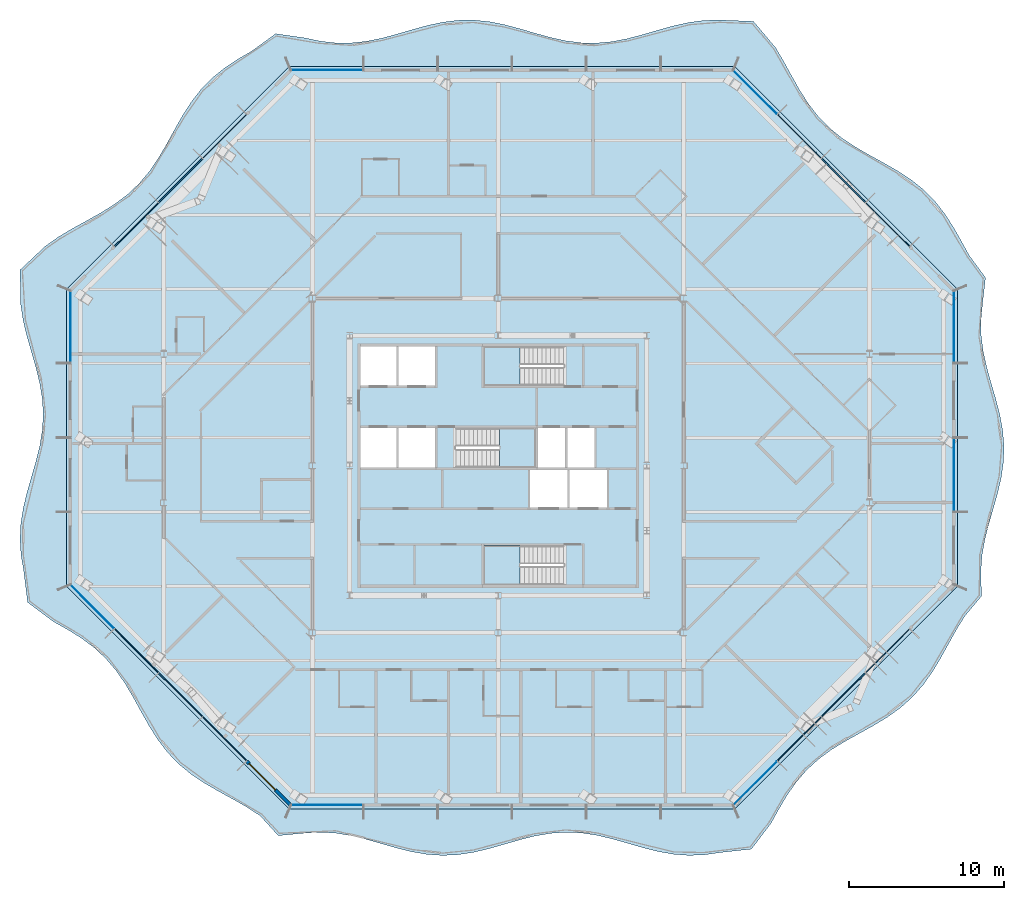
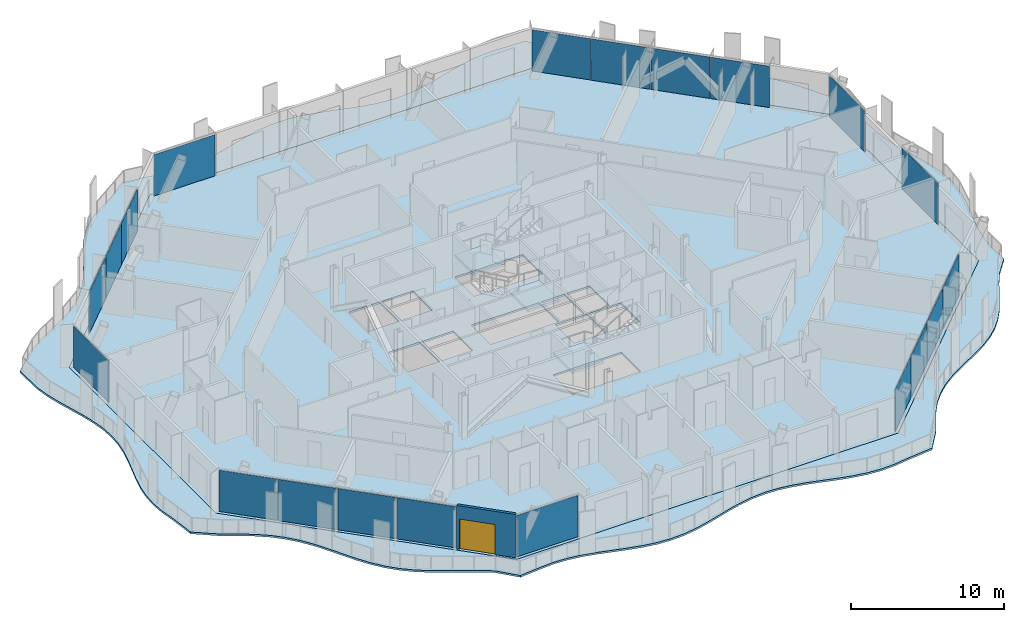
# One storey, part 6 of 21: 20 plates, 5 slabs, 1 door, 1 wall, 1 opening, 11 elements without a shape of their own.
"""IFC4 building model written with IfcOpenShell, lengths in metres."""

from ifc_helpers import new_model, si_unit, direction, frame, frame_2d, origin, origin_2d, place, context, subcontext, project, spatial, polyline, rectangle, outline, extrude, material, layer, layer_set, type_object, element, fill, aggregate, save


model = new_model("IFC4")

# Units and contexts
model_context = context("Model", 3, precision=1e-05, world=origin(), true_north=direction((0.0, 1.0)))
body_context = subcontext(model_context, "Body", "Model", "MODEL_VIEW")
ifc_project = project(units=[si_unit("LENGTHUNIT", "METRE"), si_unit("AREAUNIT", "SQUARE_METRE"), si_unit("VOLUMEUNIT", "CUBIC_METRE"), si_unit("PLANEANGLEUNIT", "RADIAN"), si_unit("MASSUNIT", "GRAM", prefix="KILO")], contexts=[model_context])

# Site, building, storey
site_placement = place(None, origin())
site = spatial("IfcSite", under=ifc_project, at=site_placement, CompositionType="ELEMENT")
building_placement = place(site_placement, origin())
building = spatial("IfcBuilding", under=site, at=building_placement, Name="Cairn Pilgrim Tower", CompositionType="ELEMENT")
storey_placement = place(building_placement, frame((0.0, 0.0, 179.39990234375)))
storey = spatial("IfcBuildingStorey", under=building, at=storey_placement, Name="L45", CompositionType="ELEMENT", Elevation=179.39990234375)

# Slabs
ifc_material_1 = material(Name="Concrete C35/45", Category="concrete")
ifc_layer_1 = layer(ifc_material_1, 0.14990234375)
ifc_layer_set_1 = layer_set([ifc_layer_1], Name="BALCONY SLAB 150 CONCRETE C35/45")
slab_type_1 = type_object("IfcSlabType", Name="BALCONY SLAB 150 CONCRETE C35/45", PredefinedType="FLOOR", material=ifc_layer_set_1)
slab_1_placement = place(storey_placement, frame((0.0, 0.0, -0.14990234375)))
element("IfcSlab", 1, at=slab_1_placement, inside=storey, type_object=slab_type_1, Name="Balcony slab BS-1", PredefinedType="FLOOR", context=body_context, shape_type="SweptSolid", body=[
    extrude(outline(polyline([(-8.177001953125, -20.237060546875), (-7.01220703125, -21.519775390625), (-5.306884765625, -21.35791015625), (-4.313720703125, -21.300048828125), (-3.32080078125, -21.354736328125), (-2.32763671875, -21.513916015625), (-1.33447265625, -21.753662109375), (-0.34130859375, -22.037841796875), (0.651611328125, -22.32373046875), (1.644775390625, -22.568603515625), (2.637939453125, -22.735595703125), (3.631103515625, -22.7998046875), (4.6240234375, -22.751220703125), (5.6171875, -22.59716796875), (6.6103515625, -22.361328125), (7.603515625, -22.078369140625), (8.596435546875, -21.791259765625), (9.589599609375, -21.543212890625), (10.582763671875, -21.37109375), (11.575927734375, -21.30078125), (12.56884765625, -21.34326171875), (13.56201171875, -21.49169921875), (14.55517578125, -21.72412109375), (15.54833984375, -22.00537109375), (16.541259765625, -22.293212890625), (17.534423828125, -22.544677734375), (18.527587890625, -22.721923828125), (19.520751953125, -22.798095703125), (20.513671875, -22.761962890625), (21.5068359375, -22.618896484375), (23.572998046875, -22.390380859375), (24.848876953125, -20.708740234375), (25.35986328125, -19.77978515625), (25.89794921875, -18.8779296875), (26.49169921875, -18.03173828125), (27.1611328125, -17.26123046875), (27.9140625, -16.57421875), (28.74560546875, -15.965576171875), (29.6376953125, -15.417724609375), (30.5634765625, -14.903564453125), (31.490478515625, -14.390625), (32.385986328125, -13.84619140625), (33.222412109375, -13.242431640625), (33.981201171875, -12.561279296875), (34.656494140625, -11.79638671875), (35.255126953125, -10.955078125), (35.796142578125, -10.05615234375), (36.30810546875, -9.128173828125), (36.82373046875, -8.20361328125), (37.375, -7.31494140625), (38.43994140625, -6.037841796875), (38.40185546875, -4.389404296875), (38.479736328125, -3.37890625), (38.662109375, -2.368408203125), (38.920166015625, -1.35791015625), (39.2138671875, -0.347412109375), (39.497802734375, 0.6630859375), (39.7275390625, 1.673583984375), (39.86767578125, 2.684326171875), (39.89599609375, 3.69482421875), (39.80859375, 4.705322265625), (39.618896484375, 5.7158203125), (39.356201171875, 6.726318359375), (39.0615234375, 7.73681640625), (38.780517578125, 8.747314453125), (38.556884765625, 9.7578125), (38.425537109375, 10.768310546875), (38.40673828125, 11.779052734375), (38.503662109375, 12.78955078125), (38.70068359375, 14.5458984375), (37.643798828125, 15.983642578125), (37.13427734375, 16.914306640625), (36.611572265625, 17.83154296875), (36.044677734375, 18.70458984375), (35.4091796875, 19.50927734375), (34.692138671875, 20.232177734375), (33.892822265625, 20.872802734375), (33.023681640625, 21.44384765625), (32.108642578125, 21.968505859375), (31.177978515625, 22.47802734375), (30.26513671875, 23.005126953125), (29.400634765625, 23.58056640625), (28.607177734375, 24.22705078125), (27.896240234375, 24.956298828125), (27.2666015625, 25.7666015625), (26.703857421875, 26.64404296875), (26.183349609375, 27.5634765625), (25.673583984375, 28.493408203125), (25.14111328125, 29.401123046875), (23.704833984375, 31.108642578125), (21.5068359375, 31.195556640625), (20.513671875, 31.170654296875), (19.520751953125, 31.037353515625), (18.527587890625, 30.81591796875), (17.534423828125, 30.53955078125), (16.541259765625, 30.249755859375), (15.54833984375, 29.989990234375), (14.55517578125, 29.79931640625), (13.56201171875, 29.706298828125), (12.56884765625, 29.72509765625), (11.575927734375, 29.8525390625), (10.582763671875, 30.06982421875), (9.589599609375, 30.34423828125), (8.596435546875, 30.634521484375), (7.603515625, 30.89697265625), (6.6103515625, 31.09228515625), (5.6171875, 31.19140625), (4.6240234375, 31.178955078125), (3.631103515625, 31.05712890625), (2.637939453125, 30.843994140625), (1.644775390625, 30.57177734375), (0.651611328125, 30.28125), (-0.34130859375, 30.01611328125), (-1.33447265625, 29.816162109375), (-2.32763671875, 29.71142578125), (-3.32080078125, 29.717529296875), (-4.313720703125, 29.83349609375), (-5.306884765625, 30.042236328125), (-7.1748046875, 30.312255859375), (-8.72412109375, 29.18408203125), (-9.636962890625, 28.656982421875), (-10.50146484375, 28.08154296875), (-11.294921875, 27.434814453125), (-12.005615234375, 26.70556640625), (-12.63525390625, 25.895263671875), (-13.197998046875, 25.017822265625), (-13.718505859375, 24.098388671875), (-14.228271484375, 23.16845703125), (-14.7607421875, 22.2607421875), (-15.34521484375, 21.4052734375), (-16.003173828125, 20.623291015625), (-16.744384765625, 19.924560546875), (-17.565673828125, 19.3056640625), (-18.45068359375, 18.750732421875), (-19.373779296875, 18.233642578125), (-20.302734375, 17.72265625), (-21.204345703125, 17.184326171875), (-22.050537109375, 16.590576171875), (-23.699462890625, 15.04248046875), (-23.653076171875, 12.78955078125), (-23.497802734375, 11.779052734375), (-23.257080078125, 10.768310546875), (-22.96875, 9.7578125), (-22.677490234375, 8.747314453125), (-22.4287109375, 7.73681640625), (-22.2607421875, 6.726318359375), (-22.199951171875, 5.7158203125), (-22.255859375, 4.705322265625), (-22.41943359375, 3.69482421875), (-22.665771484375, 2.684326171875), (-22.9560546875, 1.673583984375), (-23.245361328125, 0.6630859375), (-23.48876953125, -0.347412109375), (-23.648681640625, -1.35791015625), (-23.69970703125, -2.368408203125), (-23.634521484375, -3.37890625), (-23.462646484375, -4.389404296875), (-23.211181640625, -6.440185546875), (-21.547607421875, -7.6875), (-20.623291015625, -8.203125), (-19.734619140625, -8.754638671875), (-18.90869140625, -9.368896484375), (-18.162109375, -10.06201171875), (-17.498779296875, -10.8388671875), (-16.909912109375, -11.68994140625), (-16.375, -12.594970703125), (-15.86474609375, -13.524658203125), (-15.345703125, -14.44580078125), (-14.786865234375, -15.32666015625), (-14.162109375, -16.14208984375), (-13.456787109375, -16.876953125), (-12.668701171875, -17.528564453125), (-11.80810546875, -18.108154296875), (-10.897705078125, -18.6376953125), (-9.96728515625, -19.147216796875), (-9.050048828125, -19.669921875), (-8.177001953125, -20.237060546875)]), holes=[polyline([(22.5, -19.800048828125), (-6.300048828125, -19.800048828125), (-20.699951171875, -5.39990234375), (-20.699951171875, 13.800048828125), (-6.300048828125, 28.199951171875), (22.5, 28.199951171875), (36.89990234375, 13.800048828125), (36.89990234375, -5.39990234375), (22.5, -19.800048828125)])]), origin(), (0.0, 0.0, 1.0), 0.14990234375),
])
ifc_layer_2 = layer(ifc_material_1, 0.14990234375)
ifc_layer_set_2 = layer_set([ifc_layer_2], Name="COMPOSITE FLOOR SLAB 150")
slab_type_2 = type_object("IfcSlabType", Name="COMPOSITE FLOOR SLAB 150", PredefinedType="FLOOR", material=ifc_layer_set_2)
slab_2_placement = place(storey_placement, frame((0.0, 0.0, -0.14990234375)))
element("IfcSlab", 2, at=slab_2_placement, inside=storey, type_object=slab_type_2, Name="FLOOR SLAB L45", PredefinedType="FLOOR", context=body_context, shape_type="SweptSolid", body=[
    extrude(outline(polyline([(-6.300048828125, -19.800048828125), (22.5, -19.800048828125), (36.89990234375, -5.39990234375), (36.89990234375, 13.800048828125), (22.5, 28.199951171875), (-6.300048828125, 28.199951171875), (-20.699951171875, 13.800048828125), (-20.699951171875, -5.39990234375), (-6.300048828125, -19.800048828125)]), holes=[polyline([(9.27490234375, -0.324951171875), (11.675048828125, -0.324951171875), (11.675048828125, 2.125), (9.27490234375, 2.125), (9.27490234375, -0.324951171875)]), polyline([(11.824951171875, -0.324951171875), (14.22509765625, -0.324951171875), (14.22509765625, 2.125), (11.824951171875, 2.125), (11.824951171875, -0.324951171875)]), polyline([(-1.72509765625, 2.27490234375), (0.625, 2.27490234375), (0.625, 4.824951171875), (-1.72509765625, 4.824951171875), (-1.72509765625, 2.27490234375)]), polyline([(0.77490234375, 2.27490234375), (3.125, 2.27490234375), (3.125, 4.824951171875), (0.77490234375, 4.824951171875), (0.77490234375, 2.27490234375)]), polyline([(-1.72509765625, 7.574951171875), (0.625, 7.574951171875), (0.625, 10.10009765625), (-1.72509765625, 10.10009765625), (-1.72509765625, 7.574951171875)]), polyline([(0.77490234375, 7.574951171875), (3.125, 7.574951171875), (3.125, 10.10009765625), (0.77490234375, 10.10009765625), (0.77490234375, 7.574951171875)]), polyline([(9.77490234375, 2.27490234375), (11.52490234375, 2.27490234375), (11.52490234375, 4.824951171875), (9.77490234375, 4.824951171875), (9.77490234375, 2.27490234375)]), polyline([(11.675048828125, 2.27490234375), (13.425048828125, 2.27490234375), (13.425048828125, 4.824951171875), (11.675048828125, 4.824951171875), (11.675048828125, 2.27490234375)]), polyline([(11.424560546875, -2.77490234375), (6.27490234375, -2.77490234375), (6.27490234375, -5.300048828125), (11.424560546875, -5.300048828125), (11.424560546875, -2.77490234375)]), polyline([(4.4755859375, 2.27490234375), (9.625, 2.27490234375), (9.625, 4.824951171875), (4.4755859375, 4.824951171875), (4.4755859375, 2.27490234375)]), polyline([(11.424560546875, 10.10009765625), (6.27490234375, 10.10009765625), (6.27490234375, 7.574951171875), (11.424560546875, 7.574951171875), (11.424560546875, 10.10009765625)])]), origin(), (0.0, 0.0, 1.0), 0.14990234375),
])

# Curtain wall, plates
ifc_material_2 = material(Name="Aluminium alloy 6063-T6 bronze anodised with Bronze tinted laminated low-E glass 8+16+8.8", Category="aluminium")
curtain_wall_type_1 = type_object("IfcCurtainWallType", Name="CHAMFER CORNER CURTAIN WALL", PredefinedType="NOTDEFINED", material=ifc_material_2)
curtain_wall_1_placement = place(storey_placement, origin())
curtain_wall_1 = element("IfcCurtainWall", 3, at=curtain_wall_1_placement, inside=storey, type_object=curtain_wall_type_1, Name="Chamfer Corner Curtain Wall SE", PredefinedType="NOTDEFINED")
ifc_material_3 = material(Name="Bronze anodised aluminium spandrel panel with mineral wool insulation", Category="aluminium")
ifc_layer_3 = layer(ifc_material_3, 0.06005859375)
ifc_layer_set_3 = layer_set([ifc_layer_3], Name="SPANDREL PANEL 3972x3300")
plate_type_1 = type_object("IfcPlateType", Name="SPANDREL PANEL 3972x3300", PredefinedType="CURTAIN_PANEL", material=ifc_layer_set_3)
plate_1_placement = place(storey_placement, frame((26.672607421875, -15.27392578125, 0.0), z_axis=(0.0, 0.0, 1.0), x_axis=(0.707106781187, 0.707106781187, 0.0)))
plate_1 = element("IfcPlate", 4, at=plate_1_placement, type_object=plate_type_1, Name="Spandrel Panel SE2-1", PredefinedType="CURTAIN_PANEL", context=body_context, shape_type="SweptSolid", body=[
    extrude(rectangle(XDim=3.971435546875, YDim=0.06005859375, at=origin_2d()), origin(), (0.0, 0.0, 1.0), 3.300048828125),
])
plate_2_placement = place(storey_placement, frame((29.523193359375, -12.42333984375, 0.0), z_axis=(0.0, 0.0, 1.0), x_axis=(0.707106781187, 0.707106781187, 0.0)))
plate_2 = element("IfcPlate", 5, at=plate_2_placement, type_object=plate_type_1, Name="Spandrel Panel SE3-1", PredefinedType="CURTAIN_PANEL", context=body_context, shape_type="SweptSolid", body=[
    extrude(rectangle(XDim=3.971435546875, YDim=0.06005859375, at=origin_2d()), origin(), (0.0, 0.0, 1.0), 3.300048828125),
])
plate_3_placement = place(storey_placement, frame((32.3740234375, -9.572509765625, 0.0), z_axis=(0.0, 0.0, 1.0), x_axis=(0.707106781187, 0.707106781187, 0.0)))
plate_3 = element("IfcPlate", 6, at=plate_3_placement, type_object=plate_type_1, Name="Spandrel Panel SE4-1", PredefinedType="CURTAIN_PANEL", context=body_context, shape_type="SweptSolid", body=[
    extrude(rectangle(XDim=3.971435546875, YDim=0.06005859375, at=origin_2d()), origin(), (0.0, 0.0, 1.0), 3.300048828125),
])

curtain_wall_2_placement = place(storey_placement, origin())
curtain_wall_2 = element("IfcCurtainWall", 7, at=curtain_wall_2_placement, inside=storey, type_object=curtain_wall_type_1, Name="Chamfer Corner Curtain Wall NE", PredefinedType="NOTDEFINED")
plate_4_placement = place(storey_placement, frame((32.3740234375, 17.972412109375, 0.0), z_axis=(0.0, 0.0, 1.0), x_axis=(-0.707106781187, 0.707106781187, 0.0)))
plate_4 = element("IfcPlate", 8, at=plate_4_placement, type_object=plate_type_1, Name="Spandrel Panel NE2-1", PredefinedType="CURTAIN_PANEL", context=body_context, shape_type="SweptSolid", body=[
    extrude(rectangle(XDim=3.971435546875, YDim=0.06005859375, at=origin_2d()), origin(), (0.0, 0.0, 1.0), 3.300048828125),
])
plate_5_placement = place(storey_placement, frame((29.523193359375, 20.8232421875, 0.0), z_axis=(0.0, 0.0, 1.0), x_axis=(-0.707106781187, 0.707106781187, 0.0)))
plate_5 = element("IfcPlate", 9, at=plate_5_placement, type_object=plate_type_1, Name="Spandrel Panel NE3-1", PredefinedType="CURTAIN_PANEL", context=body_context, shape_type="SweptSolid", body=[
    extrude(rectangle(XDim=3.971435546875, YDim=0.06005859375, at=origin_2d()), origin(), (0.0, 0.0, 1.0), 3.300048828125),
])
plate_6_placement = place(storey_placement, frame((26.672607421875, 23.673828125, 0.0), z_axis=(0.0, 0.0, 1.0), x_axis=(-0.707106781187, 0.707106781187, 0.0)))
plate_6 = element("IfcPlate", 10, at=plate_6_placement, type_object=plate_type_1, Name="Spandrel Panel NE4-1", PredefinedType="CURTAIN_PANEL", context=body_context, shape_type="SweptSolid", body=[
    extrude(rectangle(XDim=3.971435546875, YDim=0.06005859375, at=origin_2d()), origin(), (0.0, 0.0, 1.0), 3.300048828125),
])

curtain_wall_3_placement = place(storey_placement, origin())
curtain_wall_3 = element("IfcCurtainWall", 11, at=curtain_wall_3_placement, inside=storey, type_object=curtain_wall_type_1, Name="Chamfer Corner Curtain Wall NW", PredefinedType="NOTDEFINED")
plate_7_placement = place(storey_placement, frame((-10.472412109375, 23.673828125, 0.0), z_axis=(0.0, 0.0, 1.0), x_axis=(-0.707106781187, -0.707106781187, 0.0)))
plate_7 = element("IfcPlate", 12, at=plate_7_placement, type_object=plate_type_1, Name="Spandrel Panel NW2-1", PredefinedType="CURTAIN_PANEL", context=body_context, shape_type="SweptSolid", body=[
    extrude(rectangle(XDim=3.971435546875, YDim=0.06005859375, at=origin_2d()), origin(), (0.0, 0.0, 1.0), 3.300048828125),
])
plate_8_placement = place(storey_placement, frame((-13.3232421875, 20.8232421875, 0.0), z_axis=(0.0, 0.0, 1.0), x_axis=(-0.707106781187, -0.707106781187, 0.0)))
plate_8 = element("IfcPlate", 13, at=plate_8_placement, type_object=plate_type_1, Name="Spandrel Panel NW3-1", PredefinedType="CURTAIN_PANEL", context=body_context, shape_type="SweptSolid", body=[
    extrude(rectangle(XDim=3.971435546875, YDim=0.06005859375, at=origin_2d()), origin(), (0.0, 0.0, 1.0), 3.300048828125),
])
plate_9_placement = place(storey_placement, frame((-16.173828125, 17.972412109375, 0.0), z_axis=(0.0, 0.0, 1.0), x_axis=(-0.707106781187, -0.707106781187, 0.0)))
plate_9 = element("IfcPlate", 14, at=plate_9_placement, type_object=plate_type_1, Name="Spandrel Panel NW4-1", PredefinedType="CURTAIN_PANEL", context=body_context, shape_type="SweptSolid", body=[
    extrude(rectangle(XDim=3.971435546875, YDim=0.06005859375, at=origin_2d()), origin(), (0.0, 0.0, 1.0), 3.300048828125),
])
aggregate(curtain_wall_3, [plate_7, plate_8, plate_9])

curtain_wall_4_placement = place(storey_placement, origin())
curtain_wall_4 = element("IfcCurtainWall", 15, at=curtain_wall_4_placement, inside=storey, type_object=curtain_wall_type_1, Name="Chamfer Corner Curtain Wall SW", PredefinedType="NOTDEFINED")
plate_10_placement = place(storey_placement, frame((-16.173828125, -9.572509765625, 0.0), z_axis=(0.0, 0.0, 1.0), x_axis=(0.707106781187, -0.707106781187, 0.0)))
plate_10 = element("IfcPlate", 16, at=plate_10_placement, type_object=plate_type_1, Name="Spandrel Panel SW2-1", PredefinedType="CURTAIN_PANEL", context=body_context, shape_type="SweptSolid", body=[
    extrude(rectangle(XDim=3.971435546875, YDim=0.06005859375, at=origin_2d()), origin(), (0.0, 0.0, 1.0), 3.300048828125),
])
plate_11_placement = place(storey_placement, frame((-13.3232421875, -12.42333984375, 0.0), z_axis=(0.0, 0.0, 1.0), x_axis=(0.707106781187, -0.707106781187, 0.0)))
plate_11 = element("IfcPlate", 17, at=plate_11_placement, type_object=plate_type_1, Name="Spandrel Panel SW3-1", PredefinedType="CURTAIN_PANEL", context=body_context, shape_type="SweptSolid", body=[
    extrude(rectangle(XDim=3.971435546875, YDim=0.06005859375, at=origin_2d()), origin(), (0.0, 0.0, 1.0), 3.300048828125),
])
plate_12_placement = place(storey_placement, frame((-10.472412109375, -15.27392578125, 0.0), z_axis=(0.0, 0.0, 1.0), x_axis=(0.707106781187, -0.707106781187, 0.0)))
plate_12 = element("IfcPlate", 18, at=plate_12_placement, type_object=plate_type_1, Name="Spandrel Panel SW4-1", PredefinedType="CURTAIN_PANEL", context=body_context, shape_type="SweptSolid", body=[
    extrude(rectangle(XDim=3.971435546875, YDim=0.06005859375, at=origin_2d()), origin(), (0.0, 0.0, 1.0), 3.300048828125),
])

# Stair, slab
ifc_material_4 = material(Name="Concrete C32/40", Category="concrete")
stair_type = type_object("IfcStairType", Name="EXIT STAIR 1200", PredefinedType="HALF_TURN_STAIR", material=ifc_material_4)
stair_1_placement = place(storey_placement, origin())
stair_1 = element("IfcStair", 19, at=stair_1_placement, inside=storey, type_object=stair_type, Name="L45 Exit Stair A", PredefinedType="HALF_TURN_STAIR")
ifc_layer_4 = layer(ifc_material_4, 0.199951171875)
ifc_layer_set_4 = layer_set([ifc_layer_4], Name="STAIR LANDING 200")
slab_type_3 = type_object("IfcSlabType", Name="STAIR LANDING 200", PredefinedType="LANDING", material=ifc_layer_set_4)
slab_3_placement = place(storey_placement, frame((0.0, 0.0, 1.60009765625)))
slab_3 = element("IfcSlab", 20, at=slab_3_placement, type_object=slab_type_3, Name="ST-A landing 1", PredefinedType="LANDING", context=body_context, shape_type="SweptSolid", body=[
    extrude(outline(polyline([(8.625, -2.77490234375), (6.27490234375, -2.77490234375), (6.27490234375, -5.300048828125), (8.625, -5.300048828125), (8.625, -2.77490234375)])), origin(), (0.0, 0.0, 1.0), 0.199951171875),
])
aggregate(stair_1, [slab_3])

stair_2_placement = place(storey_placement, origin())
stair_2 = element("IfcStair", 21, at=stair_2_placement, inside=storey, type_object=stair_type, Name="L45 Exit Stair B", PredefinedType="HALF_TURN_STAIR")
slab_4_placement = place(storey_placement, frame((0.0, 0.0, 1.60009765625)))
slab_4 = element("IfcSlab", 22, at=slab_4_placement, type_object=slab_type_3, Name="ST-B landing 1", PredefinedType="LANDING", context=body_context, shape_type="SweptSolid", body=[
    extrude(outline(polyline([(7.27490234375, 2.27490234375), (9.625, 2.27490234375), (9.625, 4.824951171875), (7.27490234375, 4.824951171875), (7.27490234375, 2.27490234375)])), origin(), (0.0, 0.0, 1.0), 0.199951171875),
])
aggregate(stair_2, [slab_4])

stair_3_placement = place(storey_placement, origin())
stair_3 = element("IfcStair", 23, at=stair_3_placement, inside=storey, type_object=stair_type, Name="L45 Exit Stair C", PredefinedType="HALF_TURN_STAIR")
slab_5_placement = place(storey_placement, frame((0.0, 0.0, 1.60009765625)))
slab_5 = element("IfcSlab", 24, at=slab_5_placement, type_object=slab_type_3, Name="ST-C landing 1", PredefinedType="LANDING", context=body_context, shape_type="SweptSolid", body=[
    extrude(outline(polyline([(8.625, 10.10009765625), (6.27490234375, 10.10009765625), (6.27490234375, 7.574951171875), (8.625, 7.574951171875), (8.625, 10.10009765625)])), origin(), (0.0, 0.0, 1.0), 0.199951171875),
])
aggregate(stair_3, [slab_5])

# Plate
ifc_material_5 = material(Name="Bronze tinted laminated low-E glass 8+16+8.8", Category="glass")
ifc_layer_5 = layer(ifc_material_5, 0.033935546875)
ifc_layer_set_5 = layer_set([ifc_layer_5], Name="VISION GLAZING 3962x3300")
plate_type_2 = type_object("IfcPlateType", Name="VISION GLAZING 3962x3300", PredefinedType="CURTAIN_PANEL", material=ifc_layer_set_5)
plate_13_placement = place(storey_placement, frame((23.825439453125, -18.12109375, 0.0), z_axis=(0.0, 0.0, 1.0), x_axis=(0.707106781187, 0.707106781187, 0.0)))
plate_13 = element("IfcPlate", 25, at=plate_13_placement, type_object=plate_type_2, Name="Vision Glazing SE1-1", PredefinedType="CURTAIN_PANEL", context=body_context, shape_type="SweptSolid", body=[
    extrude(rectangle(XDim=3.96142578125, YDim=0.033935546875, at=origin_2d()), origin(), (0.0, 0.0, 1.0), 3.300048828125),
])

aggregate(curtain_wall_1, [plate_13, plate_1, plate_2, plate_3])

plate_14_placement = place(storey_placement, frame((23.825439453125, 26.52099609375, 0.0), z_axis=(0.0, 0.0, 1.0), x_axis=(-0.707106781187, 0.707106781187, 0.0)))
plate_14 = element("IfcPlate", 26, at=plate_14_placement, type_object=plate_type_2, Name="Vision Glazing NE5-1", PredefinedType="CURTAIN_PANEL", context=body_context, shape_type="SweptSolid", body=[
    extrude(rectangle(XDim=3.96142578125, YDim=0.033935546875, at=origin_2d()), origin(), (0.0, 0.0, 1.0), 3.300048828125),
])

aggregate(curtain_wall_2, [plate_4, plate_5, plate_6, plate_14])

plate_15_placement = place(storey_placement, frame((-19.02099609375, -6.725341796875, 0.0), z_axis=(0.0, 0.0, 1.0), x_axis=(0.707106781187, -0.707106781187, 0.0)))
plate_15 = element("IfcPlate", 27, at=plate_15_placement, type_object=plate_type_2, Name="Vision Glazing SW1-1", PredefinedType="CURTAIN_PANEL", context=body_context, shape_type="SweptSolid", body=[
    extrude(rectangle(XDim=3.96142578125, YDim=0.033935546875, at=origin_2d()), origin(), (0.0, 0.0, 1.0), 3.300048828125),
])

aggregate(curtain_wall_4, [plate_15, plate_10, plate_11, plate_12])

# Curtain wall, plate
curtain_wall_type_2 = type_object("IfcCurtainWallType", Name="TOWER STICK CURTAIN WALL NS", PredefinedType="NOTDEFINED", material=ifc_material_2)
curtain_wall_5_placement = place(storey_placement, origin())
curtain_wall_5 = element("IfcCurtainWall", 28, at=curtain_wall_5_placement, inside=storey, type_object=curtain_wall_type_2, Name="Tower Stick Curtain Wall Ns S", PredefinedType="NOTDEFINED")
ifc_layer_6 = layer(ifc_material_5, 0.033935546875)
ifc_layer_set_6 = layer_set([ifc_layer_6], Name="VISION GLAZING 4626x3300")
plate_type_3 = type_object("IfcPlateType", Name="VISION GLAZING 4626x3300", PredefinedType="CURTAIN_PANEL", material=ifc_layer_set_6)
plate_16_placement = place(storey_placement, frame((-3.84326171875, -19.550048828125, 0.0), z_axis=(0.0, 0.0, 1.0), x_axis=(1.0, 0.0, 0.0)))
plate_16 = element("IfcPlate", 29, at=plate_16_placement, type_object=plate_type_3, Name="Vision Glazing S1-1", PredefinedType="CURTAIN_PANEL", context=body_context, shape_type="SweptSolid", body=[
    extrude(rectangle(XDim=4.62646484375, YDim=0.033935546875, at=origin_2d()), origin(), (0.0, 0.0, 1.0), 3.300048828125),
])
aggregate(curtain_wall_5, [plate_16])

curtain_wall_type_3 = type_object("IfcCurtainWallType", Name="TOWER STICK CURTAIN WALL EW", PredefinedType="NOTDEFINED", material=ifc_material_2)
curtain_wall_6_placement = place(storey_placement, origin())
curtain_wall_6 = element("IfcCurtainWall", 30, at=curtain_wall_6_placement, inside=storey, type_object=curtain_wall_type_3, Name="Tower Stick Curtain Wall Ew E", PredefinedType="NOTDEFINED")
plate_17_placement = place(storey_placement, frame((36.64990234375, 11.34326171875, 0.0), z_axis=(0.0, 0.0, 1.0), x_axis=(0.0, 1.0, 0.0)))
plate_17 = element("IfcPlate", 31, at=plate_17_placement, type_object=plate_type_3, Name="Vision Glazing E4-1", PredefinedType="CURTAIN_PANEL", context=body_context, shape_type="SweptSolid", body=[
    extrude(rectangle(XDim=4.62646484375, YDim=0.033935546875, at=origin_2d()), origin(), (0.0, 0.0, 1.0), 3.300048828125),
])

curtain_wall_7_placement = place(storey_placement, origin())
curtain_wall_7 = element("IfcCurtainWall", 32, at=curtain_wall_7_placement, inside=storey, type_object=curtain_wall_type_2, Name="Tower Stick Curtain Wall Ns N", PredefinedType="NOTDEFINED")
plate_18_placement = place(storey_placement, frame((-3.84326171875, 27.949951171875, 0.0), z_axis=(0.0, 0.0, 1.0), x_axis=(-1.0, 0.0, 0.0)))
plate_18 = element("IfcPlate", 33, at=plate_18_placement, type_object=plate_type_3, Name="Vision Glazing N6-1", PredefinedType="CURTAIN_PANEL", context=body_context, shape_type="SweptSolid", body=[
    extrude(rectangle(XDim=4.62646484375, YDim=0.033935546875, at=origin_2d()), origin(), (0.0, 0.0, 1.0), 3.300048828125),
])
aggregate(curtain_wall_7, [plate_18])

curtain_wall_8_placement = place(storey_placement, origin())
curtain_wall_8 = element("IfcCurtainWall", 34, at=curtain_wall_8_placement, inside=storey, type_object=curtain_wall_type_3, Name="Tower Stick Curtain Wall Ew W", PredefinedType="NOTDEFINED")
plate_19_placement = place(storey_placement, frame((-20.449951171875, 11.34326171875, 0.0), z_axis=(0.0, 0.0, 1.0), x_axis=(0.0, -1.0, 0.0)))
plate_19 = element("IfcPlate", 35, at=plate_19_placement, type_object=plate_type_3, Name="Vision Glazing W1-1", PredefinedType="CURTAIN_PANEL", context=body_context, shape_type="SweptSolid", body=[
    extrude(rectangle(XDim=4.62646484375, YDim=0.033935546875, at=origin_2d()), origin(), (0.0, 0.0, 1.0), 3.300048828125),
])
aggregate(curtain_wall_8, [plate_19])

# Plate
ifc_layer_7 = layer(ifc_material_5, 0.033935546875)
ifc_layer_set_7 = layer_set([ifc_layer_7], Name="VISION GLAZING 4740x3300")
plate_type_4 = type_object("IfcPlateType", Name="VISION GLAZING 4740x3300", PredefinedType="CURTAIN_PANEL", material=ifc_layer_set_7)
plate_20_placement = place(storey_placement, frame((36.64990234375, 1.800048828125, 0.0), z_axis=(0.0, 0.0, 1.0), x_axis=(0.0, 1.0, 0.0)))
plate_20 = element("IfcPlate", 36, at=plate_20_placement, type_object=plate_type_4, Name="Vision Glazing E2-1", PredefinedType="CURTAIN_PANEL", context=body_context, shape_type="SweptSolid", body=[
    extrude(rectangle(XDim=4.739990234375, YDim=0.033935546875, at=origin_2d()), origin(), (0.0, 0.0, 1.0), 3.300048828125),
])

aggregate(curtain_wall_6, [plate_20, plate_17])

# Wall, opening, door
ifc_material_6 = material(Name="Bronze anodised aluminium insulated sandwich panel with mineral wool fill", Category="aluminium")
ifc_layer_8 = layer(ifc_material_6, 0.199951171875)
ifc_layer_set_8 = layer_set([ifc_layer_8], Name="BRONZE INFILL FRAME WALL 200")
wall_type = type_object("IfcWallType", Name="BRONZE INFILL FRAME WALL 200", PredefinedType="NOTDEFINED", material=ifc_layer_set_8)
wall_placement = place(storey_placement, frame((-9.02587890625, -16.720458984375, 0.0), z_axis=(0.0, 0.0, 1.0), x_axis=(0.707106781187, -0.707106781187, 0.0)))
wall = element("IfcWall", 37, at=wall_placement, inside=storey, type_object=wall_type, Name="Bronze infill frame wall IW-SW5", PredefinedType="NOTDEFINED", context=body_context, shape_type="SweptSolid", body=[
    extrude(rectangle(XDim=3.961669921875, YDim=0.199951171875, at=frame_2d((1.98095703125, 0.0))), origin(), (0.0, 0.0, 1.0), 3.4501953125),
])
opening_placement = place(wall_placement, frame((0.199951171875, 0.0, 0.0)))
opening = element("IfcOpeningElement", 38, at=opening_placement, cuts=wall, Name="Opening 4517B", PredefinedType="OPENING", context=body_context, shape_type="SweptSolid", body=[
    extrude(rectangle(XDim=2.39990234375, YDim=2.39990234375, at=frame_2d((1.199951171875, 1.199951171875))), frame((0.0, 0.10986328125, 0.0), z_axis=(0.0, -1.0, 0.0), x_axis=(1.0, 0.0, 0.0)), (0.0, 0.0, 1.0), 0.219970703125),
])
ifc_material_7 = material(Name="Bronze anodised aluminium frame with tinted low-E glass", Category="aluminium")
door_type = type_object("IfcDoorType", Name="BALCONY SLIDING DOOR 2400x2400", OperationType="DOUBLE_DOOR_SLIDING", PredefinedType="DOOR", material=ifc_material_7)
door_placement = place(opening_placement, origin())
door = element("IfcDoor", 39, at=door_placement, inside=storey, type_object=door_type, Name="Balcony sliding door 4517B", OperationType="SINGLE_SWING_LEFT", OverallHeight=2.39990234375, OverallWidth=2.39990234375, PredefinedType="DOOR", context=body_context, shape_type="SweptSolid", body=[
    extrude(rectangle(XDim=2.39990234375, YDim=2.39990234375, at=frame_2d((1.199951171875, 1.199951171875))), frame((0.0, 0.02490234375, 0.0), z_axis=(0.0, -1.0, 0.0), x_axis=(1.0, 0.0, 0.0)), (0.0, 0.0, 1.0), 0.050048828125),
])
fill(opening, door)

save(model, "model.ifc")
